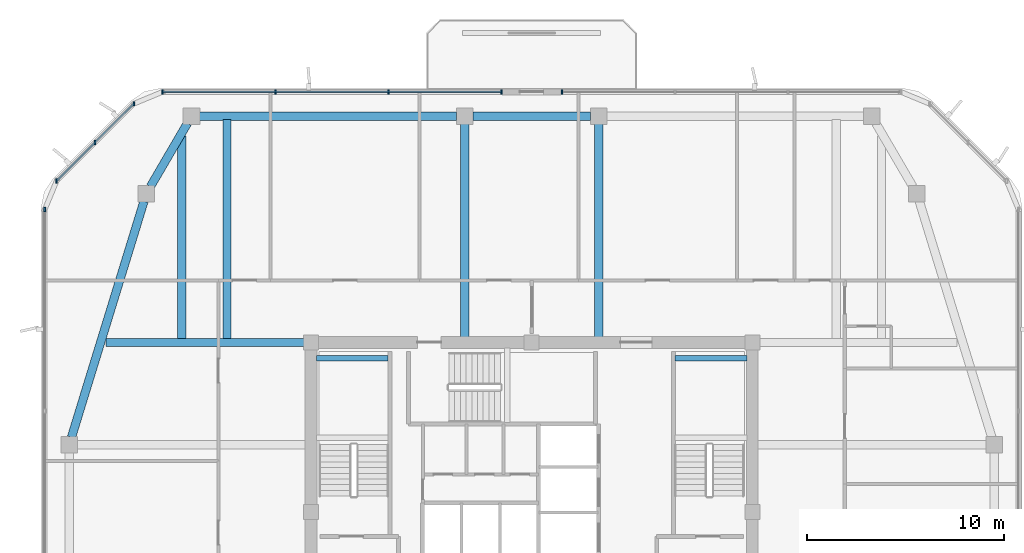
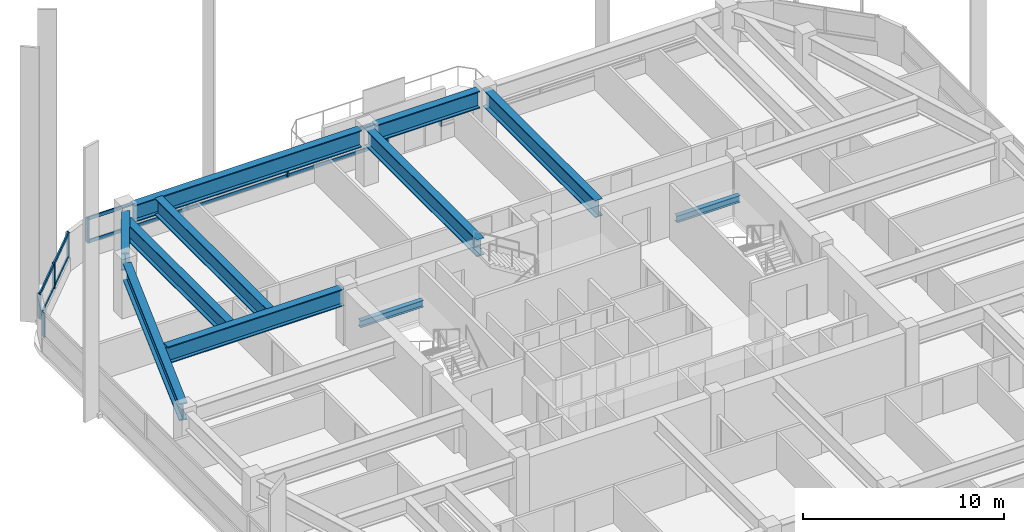
# One storey, part 4 of 13: 13 members, 11 beams, 4 elements without a shape of their own.
"""IFC4 building model written with IfcOpenShell, lengths in metres."""

from ifc_helpers import new_model, si_unit, derived_unit, direction, frame, origin, origin_2d, place, context, subcontext, project, spatial, rectangle, i_section, extrude, material, material_profile, profile_set, type_object, element, aggregate, save


model = new_model("IFC4")

# Units and contexts
model_context = context("Model", 3, precision=1e-05, world=origin(), true_north=direction((0.0, 1.0)))
body_context = subcontext(model_context, "Body", "Model", "MODEL_VIEW")
ifc_project = project(units=[si_unit("LENGTHUNIT", "METRE"), si_unit("AREAUNIT", "SQUARE_METRE"), si_unit("VOLUMEUNIT", "CUBIC_METRE"), si_unit("PLANEANGLEUNIT", "RADIAN"), si_unit("MASSUNIT", "GRAM", prefix="KILO"), derived_unit("THERMALTRANSMITTANCEUNIT", [(si_unit("POWERUNIT", "WATT"), 1), (si_unit("LENGTHUNIT", "METRE"), -2), (si_unit("THERMODYNAMICTEMPERATUREUNIT", "KELVIN"), -1)])], contexts=[model_context])

# Site, building, storey
site_placement = place(None, origin())
site = spatial("IfcSite", under=ifc_project, at=site_placement, CompositionType="ELEMENT")
building_placement = place(site_placement, origin())
building = spatial("IfcBuilding", under=site, at=building_placement, Name="Koralith Skygarden Medical Center", CompositionType="ELEMENT")
storey_placement = place(building_placement, frame((0.0, 0.0, 282.419921875)))
storey = spatial("IfcBuildingStorey", under=building, at=storey_placement, Name="L73", CompositionType="ELEMENT", Elevation=282.419921875)

# Curtain wall, member
ifc_material_1 = material(Name="Clear Laminated Glass", Category="glass")
curtain_wall_type = type_object("IfcCurtainWallType", Name="CW-6 Zone 5 Upper Clinical Curtain Wall", PredefinedType="NOTDEFINED", material=ifc_material_1)
curtain_wall_1_placement = place(storey_placement, origin())
curtain_wall_1 = element("IfcCurtainWall", 1, at=curtain_wall_1_placement, inside=storey, type_object=curtain_wall_type, Name="Curtain Wall CW-L73-N-L", PredefinedType="NOTDEFINED")
ifc_material_2 = material(Name="Aluminium 6063-T6", Category="aluminium")
ifc_material_profile_1 = material_profile(ifc_material_2, rectangle(XDim=0.0830078125, YDim=0.219970703125, at=origin_2d()), Name="MUL83X220")
ifc_profile_set_1 = profile_set([ifc_material_profile_1], Name="Aluminium 6063-T6")
member_type_1 = type_object("IfcMemberType", Name="CW-6 Extruded Mullion 83x220", PredefinedType="MULLION", material=ifc_profile_set_1)
member_1_placement = place(storey_placement, frame((38.541015625, 47.219970703125, 0.85009765625), z_axis=(0.0, 0.0, 1.0), x_axis=(1.0, 0.0, 0.0)))
member_1 = element("IfcMember", 2, at=member_1_placement, type_object=member_type_1, Name="CW-L73-N-L Mullion 4", PredefinedType="MULLION", context=body_context, shape_type="SweptSolid", body=[
    extrude(rectangle(XDim=0.0830078125, YDim=0.219970703125, at=origin_2d()), origin(), (0.0, 0.0, 1.0), 1.5),
])
aggregate(curtain_wall_1, [member_1])

# Curtain wall, members
curtain_wall_2_placement = place(storey_placement, origin())
curtain_wall_2 = element("IfcCurtainWall", 3, at=curtain_wall_2_placement, inside=storey, type_object=curtain_wall_type, Name="Curtain Wall CW-L73-N-R", PredefinedType="NOTDEFINED")
member_2_placement = place(storey_placement, frame((35.4609375, 47.219970703125, 0.85009765625), z_axis=(0.0, 0.0, 1.0), x_axis=(1.0, 0.0, 0.0)))
member_2 = element("IfcMember", 4, at=member_2_placement, type_object=member_type_1, Name="CW-L73-N-R Mullion 1", PredefinedType="MULLION", context=body_context, shape_type="SweptSolid", body=[
    extrude(rectangle(XDim=0.0830078125, YDim=0.219970703125, at=origin_2d()), origin(), (0.0, 0.0, 1.0), 1.5),
])
member_3_placement = place(storey_placement, frame((29.72607421875, 47.219970703125, 0.85009765625), z_axis=(0.0, 0.0, 1.0), x_axis=(1.0, 0.0, 0.0)))
member_3 = element("IfcMember", 5, at=member_3_placement, type_object=member_type_1, Name="CW-L73-N-R Mullion 2", PredefinedType="MULLION", context=body_context, shape_type="SweptSolid", body=[
    extrude(rectangle(XDim=0.0830078125, YDim=0.219970703125, at=origin_2d()), origin(), (0.0, 0.0, 1.0), 1.5),
])
member_4_placement = place(storey_placement, frame((23.989990234375, 47.219970703125, 0.85009765625), z_axis=(0.0, 0.0, 1.0), x_axis=(1.0, 0.0, 0.0)))
member_4 = element("IfcMember", 6, at=member_4_placement, type_object=member_type_1, Name="CW-L73-N-R Mullion 3", PredefinedType="MULLION", context=body_context, shape_type="SweptSolid", body=[
    extrude(rectangle(XDim=0.0830078125, YDim=0.219970703125, at=origin_2d()), origin(), (0.0, 0.0, 1.0), 1.5),
])
member_5_placement = place(storey_placement, frame((18.2548828125, 47.219970703125, 0.85009765625), z_axis=(0.0, 0.0, 1.0), x_axis=(1.0, 0.0, 0.0)))
member_5 = element("IfcMember", 7, at=member_5_placement, type_object=member_type_1, Name="CW-L73-N-R Mullion 4", PredefinedType="MULLION", context=body_context, shape_type="SweptSolid", body=[
    extrude(rectangle(XDim=0.0830078125, YDim=0.219970703125, at=origin_2d()), origin(), (0.0, 0.0, 1.0), 1.5),
])

curtain_wall_3_placement = place(storey_placement, origin())
curtain_wall_3 = element("IfcCurtainWall", 8, at=curtain_wall_3_placement, inside=storey, type_object=curtain_wall_type, Name="Curtain Wall CW-L73-NW", PredefinedType="NOTDEFINED")
member_6_placement = place(storey_placement, frame((16.803955078125, 46.618896484375, 0.85009765625), z_axis=(0.0, 0.0, 1.0), x_axis=(1.0, 0.0, 0.0)))
member_6 = element("IfcMember", 9, at=member_6_placement, type_object=member_type_1, Name="CW-L73-NW Mullion 1", PredefinedType="MULLION", context=body_context, shape_type="SweptSolid", body=[
    extrude(rectangle(XDim=0.0830078125, YDim=0.219970703125, at=origin_2d()), origin(), (0.0, 0.0, 1.0), 1.5),
])
member_7_placement = place(storey_placement, frame((14.842041015625, 44.656982421875, 0.85009765625), z_axis=(0.0, 0.0, 1.0), x_axis=(1.0, 0.0, 0.0)))
member_7 = element("IfcMember", 10, at=member_7_placement, type_object=member_type_1, Name="CW-L73-NW Mullion 2", PredefinedType="MULLION", context=body_context, shape_type="SweptSolid", body=[
    extrude(rectangle(XDim=0.0830078125, YDim=0.219970703125, at=origin_2d()), origin(), (0.0, 0.0, 1.0), 1.5),
])
member_8_placement = place(storey_placement, frame((12.881103515625, 42.696044921875, 0.85009765625), z_axis=(0.0, 0.0, 1.0), x_axis=(1.0, 0.0, 0.0)))
member_8 = element("IfcMember", 11, at=member_8_placement, type_object=member_type_1, Name="CW-L73-NW Mullion 3", PredefinedType="MULLION", context=body_context, shape_type="SweptSolid", body=[
    extrude(rectangle(XDim=0.0830078125, YDim=0.219970703125, at=origin_2d()), origin(), (0.0, 0.0, 1.0), 1.5),
])

# Curtain wall, member
curtain_wall_4_placement = place(storey_placement, origin())
curtain_wall_4 = element("IfcCurtainWall", 12, at=curtain_wall_4_placement, inside=storey, type_object=curtain_wall_type, Name="Curtain Wall CW-L73-W", PredefinedType="NOTDEFINED")
member_9_placement = place(storey_placement, frame((12.280029296875, 41.2451171875, 0.85009765625), z_axis=(0.0, 0.0, 1.0), x_axis=(1.0, 0.0, 0.0)))
member_9 = element("IfcMember", 13, at=member_9_placement, type_object=member_type_1, Name="CW-L73-W Mullion 1", PredefinedType="MULLION", context=body_context, shape_type="SweptSolid", body=[
    extrude(rectangle(XDim=0.0830078125, YDim=0.219970703125, at=origin_2d()), origin(), (0.0, 0.0, 1.0), 1.5),
])
aggregate(curtain_wall_4, [member_9])

# Member
ifc_material_profile_2 = material_profile(ifc_material_2, rectangle(XDim=0.077880859375, YDim=0.197998046875, at=origin_2d()), Name="TRN78X198")
ifc_profile_set_2 = profile_set([ifc_material_profile_2], Name="Aluminium 6063-T6")
member_type_2 = type_object("IfcMemberType", Name="CW-6 Thermal Transom 78x198", PredefinedType="USERDEFINED", material=ifc_profile_set_2)
member_10_placement = place(storey_placement, frame((35.4609375, 47.219970703125, 0.900146484375), z_axis=(-1.0, 0.0, 0.0), x_axis=(0.0, -1.0, 0.0)))
member_10 = element("IfcMember", 14, at=member_10_placement, type_object=member_type_2, Name="CW-L73-N-R Transom 1", ObjectType="TRANSOM", PredefinedType="USERDEFINED", context=body_context, shape_type="SweptSolid", body=[
    extrude(rectangle(XDim=0.077880859375, YDim=0.197998046875, at=origin_2d()), origin(), (0.0, 0.0, 1.0), 17.2060546875),
])

member_11_placement = place(storey_placement, frame((35.4609375, 47.219970703125, 2.300048828125), z_axis=(-1.0, 0.0, 0.0), x_axis=(0.0, -1.0, 0.0)))
member_11 = element("IfcMember", 15, at=member_11_placement, type_object=member_type_2, Name="CW-L73-N-R Transom 2", ObjectType="TRANSOM", PredefinedType="USERDEFINED", context=body_context, shape_type="SweptSolid", body=[
    extrude(rectangle(XDim=0.077880859375, YDim=0.197998046875, at=origin_2d()), origin(), (0.0, 0.0, 1.0), 17.2060546875),
])

aggregate(curtain_wall_2, [member_2, member_3, member_4, member_5, member_10, member_11])

member_12_placement = place(storey_placement, frame((16.803955078125, 46.618896484375, 0.900146484375), z_axis=(-0.707106781187, -0.707106781187, 0.0), x_axis=(0.707106781187, -0.707106781187, 0.0)))
member_12 = element("IfcMember", 16, at=member_12_placement, type_object=member_type_2, Name="CW-L73-NW Transom 1", ObjectType="TRANSOM", PredefinedType="USERDEFINED", context=body_context, shape_type="SweptSolid", body=[
    extrude(rectangle(XDim=0.077880859375, YDim=0.197998046875, at=origin_2d()), origin(), (0.0, 0.0, 1.0), 5.5478515625),
])

member_13_placement = place(storey_placement, frame((16.803955078125, 46.618896484375, 2.300048828125), z_axis=(-0.707106781187, -0.707106781187, 0.0), x_axis=(0.707106781187, -0.707106781187, 0.0)))
member_13 = element("IfcMember", 17, at=member_13_placement, type_object=member_type_2, Name="CW-L73-NW Transom 2", ObjectType="TRANSOM", PredefinedType="USERDEFINED", context=body_context, shape_type="SweptSolid", body=[
    extrude(rectangle(XDim=0.077880859375, YDim=0.197998046875, at=origin_2d()), origin(), (0.0, 0.0, 1.0), 5.5478515625),
])

aggregate(curtain_wall_3, [member_6, member_7, member_8, member_12, member_13])

# Beams
ifc_material_3 = material(Name="Steel ASTM A992 Grade 50", Category="steel")
ifc_material_profile_3 = material_profile(ifc_material_3, i_section(OverallWidth=0.260009765625, OverallDepth=0.4150390625, WebThickness=0.010009765625, FlangeThickness=0.016845703125, at=origin_2d()), Name="W16X67")
ifc_profile_set_3 = profile_set([ifc_material_profile_3], Name="Steel ASTM A992 Grade 50")
beam_type_1 = type_object("IfcBeamType", Name="Clinical Floor Joist W16X67", PredefinedType="JOIST", material=ifc_profile_set_3)
for number, where, z_axis, x_axis, name in (
    (18, (26.080078125, 33.699951171875, 1.39306640625), (1.0, 0.0, 0.0), (0.0, 1.0, 0.0), "L73 Stair ST1 Half-Landing Support Beam 1B"),
    (19, (44.280029296875, 33.699951171875, 1.39306640625), (1.0, 0.0, 0.0), (0.0, 1.0, 0.0), "L73 Stair ST2 Half-Landing Support Beam 1B"),
):
    element("IfcBeam", number, at=place(storey_placement, frame(where, z_axis=z_axis, x_axis=x_axis)), inside=storey, type_object=beam_type_1, Name=name, PredefinedType="JOIST", context=body_context, shape_type="SweptSolid", body=[
        extrude(i_section(OverallWidth=0.260009765625, OverallDepth=0.4150390625, WebThickness=0.010009765625, FlangeThickness=0.016845703125, at=origin_2d()), origin(), (0.0, 0.0, 1.0), 3.639892578125),
    ])
ifc_material_profile_4 = material_profile(ifc_material_3, i_section(OverallWidth=0.427001953125, OverallDepth=1.041015625, WebThickness=0.031005859375, FlangeThickness=0.055908203125, at=origin_2d()), Name="W40X397")
ifc_profile_set_4 = profile_set([ifc_material_profile_4], Name="Steel ASTM A992 Grade 50")
beam_type_2 = type_object("IfcBeamType", Name="Crown Setback Transfer Girder W40X397", PredefinedType="USERDEFINED", material=ifc_profile_set_4)
beam_1_placement = place(storey_placement, frame((15.39990234375, 34.5, 2.799072265625), z_axis=(1.0, 0.0, 0.0), x_axis=(0.0, 1.0, 0.0)))
element("IfcBeam", 20, at=beam_1_placement, inside=storey, type_object=beam_type_2, Name="L73 Setback Collector Chord WN", ObjectType="TRANSFER GIRDER", PredefinedType="USERDEFINED", context=body_context, shape_type="SweptSolid", body=[
    extrude(i_section(OverallWidth=0.427001953125, OverallDepth=1.041015625, WebThickness=0.031005859375, FlangeThickness=0.055908203125, at=origin_2d()), origin(), (0.0, 0.0, 1.0), 10.150146484375),
])
for number, where, z_axis, x_axis, name in (
    (21, (40.39990234375, 34.64990234375, 2.799072265625), (0.0, 1.0, 0.0), (-1.0, 0.0, 0.0), "L73 Setback Transfer Girder STG-12"),
    (22, (33.60009765625, 34.64990234375, 2.799072265625), (0.0, 1.0, 0.0), (-1.0, 0.0, 0.0), "L73 Setback Transfer Girder STG-13"),
    (23, (21.531982421875, 34.64990234375, 2.799072265625), (0.0, 1.0, 0.0), (-1.0, 0.0, 0.0), "L73 Setback Transfer Girder STG-14"),
):
    element("IfcBeam", number, at=place(storey_placement, frame(where, z_axis=z_axis, x_axis=x_axis)), inside=storey, type_object=beam_type_2, Name=name, ObjectType="TRANSFER GIRDER", PredefinedType="USERDEFINED", context=body_context, shape_type="SweptSolid", body=[
        extrude(i_section(OverallWidth=0.427001953125, OverallDepth=1.041015625, WebThickness=0.031005859375, FlangeThickness=0.055908203125, at=origin_2d()), origin(), (0.0, 0.0, 1.0), 11.18017578125),
    ])
beam_2_placement = place(storey_placement, frame((19.239990234375, 34.64990234375, 2.799072265625), z_axis=(0.0, 1.0, 0.0), x_axis=(-1.0, 0.0, 0.0)))
element("IfcBeam", 24, at=beam_2_placement, inside=storey, type_object=beam_type_2, Name="L73 Setback Transfer Girder STG-15", ObjectType="TRANSFER GIRDER", PredefinedType="USERDEFINED", context=body_context, shape_type="SweptSolid", body=[
    extrude(i_section(OverallWidth=0.427001953125, OverallDepth=1.041015625, WebThickness=0.031005859375, FlangeThickness=0.055908203125, at=origin_2d()), origin(), (0.0, 0.0, 1.0), 10.339111328125),
])
beam_3_placement = place(storey_placement, frame((39.989990234375, 45.97998046875, 2.799072265625), z_axis=(-1.0, 0.0, 0.0), x_axis=(0.0, -1.0, 0.0)))
element("IfcBeam", 25, at=beam_3_placement, inside=storey, type_object=beam_type_2, Name="L73 Perimeter Spandrel Beam SP-12", ObjectType="TRANSFER GIRDER", PredefinedType="USERDEFINED", context=body_context, shape_type="SweptSolid", body=[
    extrude(i_section(OverallWidth=0.427001953125, OverallDepth=1.041015625, WebThickness=0.031005859375, FlangeThickness=0.055908203125, at=origin_2d()), origin(), (0.0, 0.0, 1.0), 5.97998046875),
])
beam_4_placement = place(storey_placement, frame((33.18994140625, 45.97998046875, 2.799072265625), z_axis=(-1.0, 0.0, 0.0), x_axis=(0.0, -1.0, 0.0)))
element("IfcBeam", 26, at=beam_4_placement, inside=storey, type_object=beam_type_2, Name="L73 Perimeter Spandrel Beam SP-13", ObjectType="TRANSFER GIRDER", PredefinedType="USERDEFINED", context=body_context, shape_type="SweptSolid", body=[
    extrude(i_section(OverallWidth=0.427001953125, OverallDepth=1.041015625, WebThickness=0.031005859375, FlangeThickness=0.055908203125, at=origin_2d()), origin(), (0.0, 0.0, 1.0), 13.0478515625),
])
beam_5_placement = place(storey_placement, frame((19.52490234375, 45.6259765625, 2.799072265625), z_axis=(-0.50473571007, -0.863273921175, 0.0), x_axis=(0.863273921175, -0.50473571007, 0.0)))
element("IfcBeam", 27, at=beam_5_placement, inside=storey, type_object=beam_type_2, Name="L73 Perimeter Spandrel Beam SP-14", ObjectType="TRANSFER GIRDER", PredefinedType="USERDEFINED", context=body_context, shape_type="SweptSolid", body=[
    extrude(i_section(OverallWidth=0.427001953125, OverallDepth=1.041015625, WebThickness=0.031005859375, FlangeThickness=0.055908203125, at=origin_2d()), origin(), (0.0, 0.0, 1.0), 3.720703125),
])
beam_6_placement = place(storey_placement, frame((17.320068359375, 41.66796875, 2.799072265625), z_axis=(-0.293738023424, -0.955885962652, 0.0), x_axis=(0.955885962652, -0.293738023424, 0.0)))
element("IfcBeam", 28, at=beam_6_placement, inside=storey, type_object=beam_type_2, Name="L73 Perimeter Spandrel Beam SP-15", ObjectType="TRANSFER GIRDER", PredefinedType="USERDEFINED", context=body_context, shape_type="SweptSolid", body=[
    extrude(i_section(OverallWidth=0.427001953125, OverallDepth=1.041015625, WebThickness=0.031005859375, FlangeThickness=0.055908203125, at=origin_2d()), origin(), (0.0, 0.0, 1.0), 12.52880859375),
])

save(model, "model.ifc")
